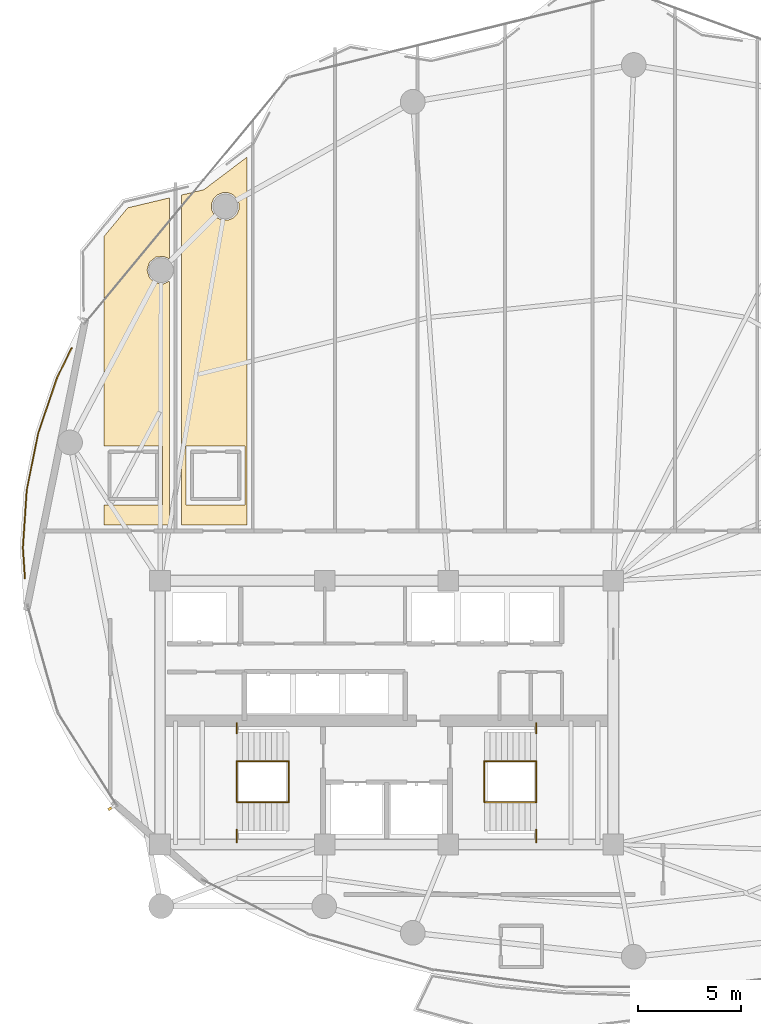
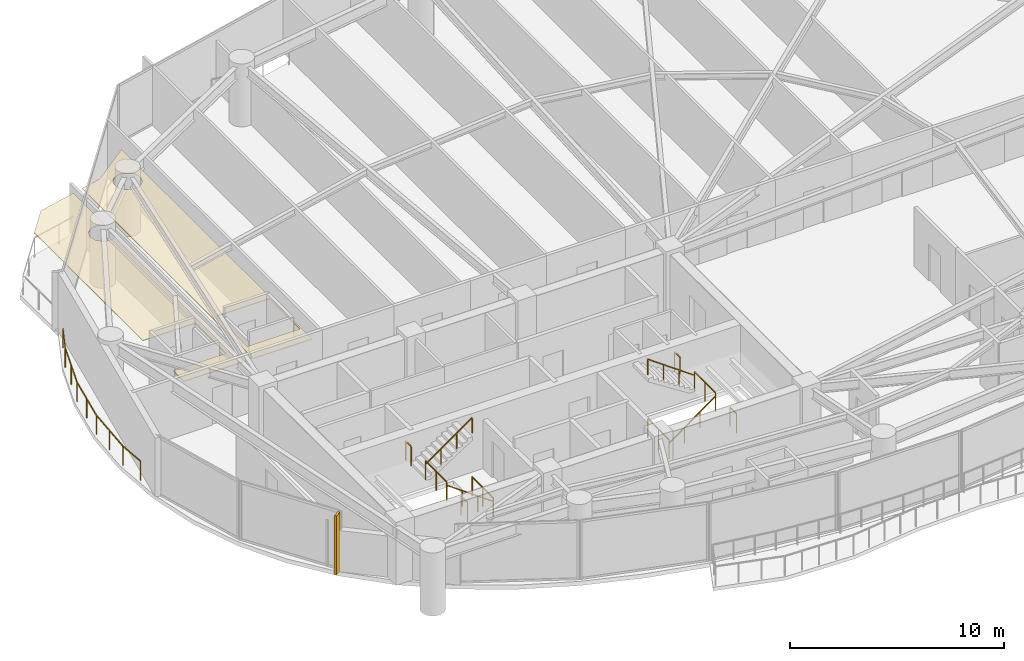
# One storey, part 26 of 28: 13 railings, 2 coverings, 1 shading device.
"""IFC4 building model written with IfcOpenShell, lengths in metres."""

import ifcopenshell
import ifcopenshell.guid

model = None  # the IFC model being written
_history = None  # IfcOwnerHistory: only IFC2X3 demands one
_inside = {}  # id of a spatial element -> (the spatial element, [elements in it])
_under = {}  # id of a project, library or spatial element -> (it, [spatial elements below it])
_declared = {}  # id of a project -> (the project, [libraries it declares])
_typed = {}  # id of a type object -> (the type object, [elements of that type])
_made_of = {}  # id of a material, layer set ... -> (it, [elements and type objects made of it])


def new_model(schema):
    """Start an empty IFC model of exactly this schema.

    Asked for "IFC4X3", IfcOpenShell would pick the latest addendum, in which some entities
    have other attributes; the version numbers below select the first issue.
    IFC2X3 requires an IfcOwnerHistory on every rooted entity: one is made here for all.
    """
    global model, _history
    if schema == "IFC4X3":
        model = ifcopenshell.file(schema_version=(4, 3, 0, 0))
    else:
        model = ifcopenshell.file(schema=schema)
    _inside.clear()
    _under.clear()
    _declared.clear()
    _typed.clear()
    _made_of.clear()
    _history = None
    if model.schema == "IFC2X3":
        org = make("IfcOrganization", Name="unknown")
        user = make(
            "IfcPersonAndOrganization",
            ThePerson=make("IfcPerson", FamilyName="unknown"),
            TheOrganization=org,
        )
        app = make(
            "IfcApplication",
            ApplicationDeveloper=org,
            Version="unknown",
            ApplicationFullName="unknown",
            ApplicationIdentifier="unknown",
        )
        _history = make(
            "IfcOwnerHistory",
            OwningUser=user,
            OwningApplication=app,
            ChangeAction="ADDED",
            CreationDate=0,
        )
    return model


def make(cls, **values):
    """One entity of the class cls with the attributes given. An attribute that is None is left unset."""
    return model.create_entity(
        cls, **{name: value for name, value in values.items() if value is not None}
    )


def rooted(cls, **values):
    """An entity with a GlobalId (a new one), such as an element, a storey or a relation."""
    return make(cls, GlobalId=ifcopenshell.guid.new(), OwnerHistory=_history, **values)


def si_unit(unit_type, name, prefix=None):
    """IfcSIUnit, for example si_unit("LENGTHUNIT", "METRE", prefix="MILLI")."""
    return make("IfcSIUnit", UnitType=unit_type, Prefix=prefix, Name=name)


def assignment(units):
    """IfcUnitAssignment: the units of a project."""
    return None if units is None else make("IfcUnitAssignment", Units=units)


def point(xyz):
    """IfcCartesianPoint."""
    return None if xyz is None else make("IfcCartesianPoint", Coordinates=xyz)


def direction(xyz):
    """IfcDirection."""
    return None if xyz is None else make("IfcDirection", DirectionRatios=xyz)


def frame(location, z_axis=None, x_axis=None):
    """IfcAxis2Placement3D, a coordinate frame: its origin and axes. An axis left out is left unset."""
    return make(
        "IfcAxis2Placement3D",
        Location=point(location),
        Axis=direction(z_axis),
        RefDirection=direction(x_axis),
    )


def frame_2d(location, x_axis=None):
    """IfcAxis2Placement2D, a coordinate frame in the plane: its origin and x axis."""
    return make(
        "IfcAxis2Placement2D", Location=point(location), RefDirection=direction(x_axis)
    )


def origin():
    """The frame at (0, 0, 0) with its axes left unset."""
    return frame((0.0, 0.0, 0.0))


def origin_2d():
    """The frame at (0, 0) in the plane with its x axis left unset."""
    return frame_2d((0.0, 0.0))


def place(relative_to, where):
    """IfcLocalPlacement: puts the frame where relative to a parent placement (None: the world)."""
    return make(
        "IfcLocalPlacement", PlacementRelTo=relative_to, RelativePlacement=where
    )


def context(
    kind, dimensions, precision=None, world=None, true_north=None, identifier=None
):
    """IfcGeometricRepresentationContext, for example the 3D "Model" context."""
    return make(
        "IfcGeometricRepresentationContext",
        ContextIdentifier=identifier,
        ContextType=kind,
        CoordinateSpaceDimension=dimensions,
        Precision=precision,
        WorldCoordinateSystem=world,
        TrueNorth=true_north,
    )


def subcontext(parent, identifier, kind, view, scale=None):
    """IfcGeometricRepresentationSubContext, for example "Body" below "Model"."""
    return make(
        "IfcGeometricRepresentationSubContext",
        ContextIdentifier=identifier,
        ContextType=kind,
        ParentContext=parent,
        TargetScale=scale,
        TargetView=view,
    )


def project(units=None, contexts=None):
    """IfcProject with its units and contexts."""
    return rooted(
        "IfcProject",
        Name="project",
        RepresentationContexts=contexts,
        UnitsInContext=assignment(units),
    )


def spatial(cls, under=None, at=None, **own):
    """A site, building, storey or space (cls), placed at a placement, below another one or the project."""
    s = rooted(cls, ObjectPlacement=at, **own)
    if under is not None:
        _under.setdefault(under.id(), (under, []))[1].append(s)
    return s


def polyline(points):
    """IfcPolyline through the points."""
    return make("IfcPolyline", Points=[point(p) for p in points])


def profile(cls, at=None, kind="AREA", **sizes):
    """A parametric profile (cls). Its sizes go by their IFC names, for example OverallWidth=200.0."""
    return make(cls, ProfileType=kind, Position=at, **sizes)


def rectangle(**sizes):
    """IfcRectangleProfileDef."""
    return profile("IfcRectangleProfileDef", **sizes)


def outline(outer, holes=None, kind="AREA"):
    """IfcArbitraryClosedProfileDef: a profile drawn as a closed curve; with holes, ...WithVoids."""
    if holes is None:
        return make("IfcArbitraryClosedProfileDef", ProfileType=kind, OuterCurve=outer)
    return make(
        "IfcArbitraryProfileDefWithVoids",
        ProfileType=kind,
        OuterCurve=outer,
        InnerCurves=holes,
    )


def extrude(swept, where, along, depth):
    """IfcExtrudedAreaSolid: the profile swept, set in the frame where, extruded along a direction by depth."""
    return make(
        "IfcExtrudedAreaSolid",
        SweptArea=swept,
        Position=where,
        ExtrudedDirection=direction(along),
        Depth=depth,
    )


def shape(context_of_items, identifier, shape_type, items):
    """IfcShapeRepresentation: the items that make up one representation, for example the "Body"."""
    return make(
        "IfcShapeRepresentation",
        ContextOfItems=context_of_items,
        RepresentationIdentifier=identifier,
        RepresentationType=shape_type,
        Items=items,
    )


def material(Name=None, Category=None):
    """IfcMaterial."""
    return make("IfcMaterial", Name=Name, Category=Category)


def layer(
    of_material, thickness, ventilated=None, Name=None, Category=None, Priority=None
):
    """IfcMaterialLayer: one layer of a wall or slab, of a material (None: an air gap)."""
    return make(
        "IfcMaterialLayer",
        Material=of_material,
        LayerThickness=thickness,
        IsVentilated=ventilated,
        Name=Name,
        Category=Category,
        Priority=Priority,
    )


def layer_set(layers, Name=None):
    """IfcMaterialLayerSet."""
    return make("IfcMaterialLayerSet", MaterialLayers=layers, LayerSetName=Name)


def made_of(thing, what):
    """Note that an element or type object is made of a material, layer set ...; save() writes the relation."""
    if what is not None:
        _made_of.setdefault(what.id(), (what, []))[1].append(thing)
    return thing


def type_object(cls, material=None, **own):
    """A type object (cls), such as IfcWallType, which elements share."""
    return made_of(rooted(cls, **own), material)


def element(
    cls,
    number,
    at=None,
    inside=None,
    cuts=None,
    type_object=None,
    material=None,
    context=None,
    identifier="Body",
    shape_type=None,
    held_by="IfcProductDefinitionShape",
    body=None,
    shapes=None,
    **own,
):
    """One element of the class cls, such as IfcWall. Its Tag is "e" and its number.

    at: its placement. inside: the storey or other place that contains it. cuts: it is an
    opening in that element (IfcRelVoidsElement). A single representation is given by context,
    identifier, shape_type and body (its items); several are given by shapes. held_by: the class
    of the entity that holds the representations. save() writes the other relations.
    """
    e = rooted(cls, Tag="e%d" % number, ObjectPlacement=at, **own)
    if body is not None:
        shapes = [shape(context, identifier, shape_type, body)]
    if shapes is not None:
        e.Representation = make(held_by, Representations=shapes)
    if inside is not None:
        _inside.setdefault(inside.id(), (inside, []))[1].append(e)
    if cuts is not None:
        rooted(
            "IfcRelVoidsElement", RelatingBuildingElement=cuts, RelatedOpeningElement=e
        )
    if type_object is not None:
        _typed.setdefault(type_object.id(), (type_object, []))[1].append(e)
    return made_of(e, material)


def aggregate(whole, parts):
    """IfcRelAggregates: a whole, such as a stair, and the parts it consists of."""
    return rooted("IfcRelAggregates", RelatingObject=whole, RelatedObjects=parts)


def save(model, path):
    """Write the relations noted so far, then the file.

    IfcRelAggregates (storeys below a building ...), IfcRelContainedInSpatialStructure (elements
    in a storey), IfcRelDefinesByType, IfcRelAssociatesMaterial and IfcRelDeclares: one each for
    every whole, place, type object, material and project.
    """
    for whole, parts in _under.values():
        aggregate(whole, parts)
    for where, things in _inside.values():
        rooted(
            "IfcRelContainedInSpatialStructure",
            RelatedElements=things,
            RelatingStructure=where,
        )
    for kind, things in _typed.values():
        rooted("IfcRelDefinesByType", RelatedObjects=things, RelatingType=kind)
    for what, things in _made_of.values():
        rooted("IfcRelAssociatesMaterial", RelatedObjects=things, RelatingMaterial=what)
    for by, libraries in _declared.values():
        rooted("IfcRelDeclares", RelatingContext=by, RelatedDefinitions=libraries)
    model.write(path)


model = new_model("IFC4")

# Units and contexts
model_context = context("Model", 3, precision=1e-05, world=origin(), true_north=direction((0.0, 1.0)))
body_context = subcontext(model_context, "Body", "Model", "MODEL_VIEW")
ifc_project = project(units=[si_unit("LENGTHUNIT", "METRE"), si_unit("AREAUNIT", "SQUARE_METRE"), si_unit("VOLUMEUNIT", "CUBIC_METRE"), si_unit("PLANEANGLEUNIT", "RADIAN"), si_unit("MASSUNIT", "GRAM", prefix="KILO")], contexts=[model_context])

# Site, building, storey
site_placement = place(None, origin())
site = spatial("IfcSite", under=ifc_project, at=site_placement, CompositionType="ELEMENT")
building_placement = place(site_placement, origin())
building = spatial("IfcBuilding", under=site, at=building_placement, Name="Kazevale Care Tower and Concert Hall", CompositionType="ELEMENT")
storey_placement = place(building_placement, frame((0.0, 0.0, 138.60009765625)))
storey = spatial("IfcBuildingStorey", under=building, at=storey_placement, Name="L36", CompositionType="ELEMENT", Elevation=138.60009765625)

# Coverings
ifc_material_1 = material(Name="Acoustic Plaster and Hinoki Wood", Category="wood")
ifc_layer = layer(ifc_material_1, 0.0400390625)
ifc_layer_set = layer_set([ifc_layer], Name="Acoustic Plaster and Hinoki Wood")
covering_type = type_object("IfcCoveringType", Name="Acoustic Perforated Wood-Gypsum Ceiling", PredefinedType="CEILING", material=ifc_layer_set)
covering_1_placement = place(storey_placement, frame((0.0, 0.0, 2.7099609375)))
element("IfcCovering", 1, at=covering_1_placement, inside=storey, type_object=covering_type, Name="clg:L36:1", PredefinedType="CEILING", context=body_context, shape_type="SweptSolid", body=[
    extrude(outline(polyline([(22.1298828125, 40.094970703125), (22.1298828125, 42.955078125), (19.280029296875, 42.955078125), (19.280029296875, 53.1259765625), (20.43310546875, 54.51611328125), (22.469970703125, 55.0), (22.469970703125, 52.02099609375), (22.18310546875, 52.156982421875), (21.7900390625, 52.117919921875), (21.485107421875, 51.867919921875), (21.3701171875, 51.489990234375), (21.485107421875, 51.112060546875), (21.7900390625, 50.862060546875), (22.18310546875, 50.822998046875), (22.469970703125, 50.958984375), (22.469970703125, 39.10498046875), (19.280029296875, 39.10498046875), (19.280029296875, 40.094970703125), (22.1298828125, 40.094970703125)])), origin(), (0.0, 0.0, 1.0), 0.0400390625),
])
covering_2_placement = place(storey_placement, frame((0.0, 0.0, 2.7099609375)))
element("IfcCovering", 2, at=covering_2_placement, inside=storey, type_object=covering_type, Name="clg:L36:2", PredefinedType="CEILING", context=body_context, shape_type="SweptSolid", body=[
    extrude(outline(polyline([(23.030029296875, 55.133056640625), (24.1279296875, 55.39404296875), (26.219970703125, 56.97412109375), (26.219970703125, 39.10498046875), (23.030029296875, 39.10498046875), (23.030029296875, 55.133056640625)]), holes=[polyline([(23.27001953125, 42.955078125), (23.27001953125, 40.094970703125), (26.1298828125, 40.094970703125), (26.1298828125, 42.955078125), (23.27001953125, 42.955078125)]), polyline([(25.8369140625, 54.712890625), (25.735107421875, 54.9580078125), (25.548095703125, 55.14501953125), (25.302978515625, 55.2470703125), (25.037109375, 55.2470703125), (24.7919921875, 55.14501953125), (24.60498046875, 54.9580078125), (24.5029296875, 54.712890625), (24.5029296875, 54.447021484375), (24.60498046875, 54.201904296875), (24.7919921875, 54.014892578125), (25.037109375, 53.9130859375), (25.302978515625, 53.9130859375), (25.548095703125, 54.014892578125), (25.735107421875, 54.201904296875), (25.8369140625, 54.447021484375), (25.8369140625, 54.712890625)])]), origin(), (0.0, 0.0, 1.0), 0.0400390625),
])

# Railings
ifc_material_2 = material(Name="Anodised Bronze Aluminium and Laminated Glass", Category="aluminium")
railing_type_1 = type_object("IfcRailingType", Name="Balcony and Terrace Balustrade 1120", PredefinedType="BALUSTRADE", material=ifc_material_2)
railing_1_placement = place(storey_placement, frame((15.43994140625, 36.514892578125, 0.0)))
element("IfcRailing", 3, at=railing_1_placement, inside=storey, type_object=railing_type_1, Name="rail:L36:perim:1", PredefinedType="BALUSTRADE", context=body_context, shape_type="SweptSolid", body=[
    extrude(rectangle(XDim=0.048095703125, YDim=0.048095703125, at=origin_2d()), frame((0.0, 0.0, 1.09619140625), z_axis=(-0.067085094259, 0.99774725764, 0.0), x_axis=(-0.99774725764, -0.067085094259, 0.0)), (0.0, 0.0, 1.0), 1.488525390625),
    extrude(rectangle(XDim=0.048095703125, YDim=0.048095703125, at=origin_2d()), frame((-0.099853515625, 1.485107421875, 1.09619140625), z_axis=(0.066138294973, 0.997810465939, 0.0), x_axis=(-0.997810465939, 0.066138294973, 0.0)), (0.0, 0.0, 1.0), 2.80908203125),
    extrude(rectangle(XDim=0.048095703125, YDim=0.048095703125, at=origin_2d()), frame((0.0859375, 4.2880859375, 1.09619140625), z_axis=(0.197313197068, 0.980340503225, 0.0), x_axis=(-0.980340503225, 0.197313197068, 0.0)), (0.0, 0.0, 1.0), 2.823486328125),
    extrude(rectangle(XDim=0.048095703125, YDim=0.048095703125, at=origin_2d()), frame((0.64306640625, 7.05615234375, 1.09619140625), z_axis=(0.322414050189, 0.946598742996, 0.0), x_axis=(-0.946598742996, 0.322414050189, 0.0)), (0.0, 0.0, 1.0), 2.85009765625),
    extrude(rectangle(XDim=0.048095703125, YDim=0.048095703125, at=origin_2d()), frame((1.56201171875, 9.754150390625, 1.09619140625), z_axis=(0.44003868985, 0.89797881458, 0.0), x_axis=(-0.89797881458, 0.44003868985, 0.0)), (0.0, 0.0, 1.0), 1.595703125),
    extrude(rectangle(XDim=0.0419921875, YDim=0.0419921875, at=origin_2d()), origin(), (0.0, 0.0, 1.0), 1.072021484375),
    extrude(rectangle(XDim=0.0419921875, YDim=0.0419921875, at=origin_2d()), frame((-0.099853515625, 1.485107421875, 0.0)), (0.0, 0.0, 1.0), 1.072021484375),
    extrude(rectangle(XDim=0.0419921875, YDim=0.0419921875, at=origin_2d()), frame((-0.0068359375, 2.88671875, 0.0)), (0.0, 0.0, 1.0), 1.072021484375),
    extrude(rectangle(XDim=0.0419921875, YDim=0.0419921875, at=origin_2d()), frame((0.0859375, 4.2880859375, 0.0)), (0.0, 0.0, 1.0), 1.072021484375),
    extrude(rectangle(XDim=0.0419921875, YDim=0.0419921875, at=origin_2d()), frame((0.364501953125, 5.672119140625, 0.0)), (0.0, 0.0, 1.0), 1.072021484375),
    extrude(rectangle(XDim=0.0419921875, YDim=0.0419921875, at=origin_2d()), frame((0.64306640625, 7.05615234375, 0.0)), (0.0, 0.0, 1.0), 1.072021484375),
    extrude(rectangle(XDim=0.0419921875, YDim=0.0419921875, at=origin_2d()), frame((1.1025390625, 8.4052734375, 0.0)), (0.0, 0.0, 1.0), 1.072021484375),
    extrude(rectangle(XDim=0.0419921875, YDim=0.0419921875, at=origin_2d()), frame((1.56201171875, 9.754150390625, 0.0)), (0.0, 0.0, 1.0), 1.072021484375),
    extrude(rectangle(XDim=0.0419921875, YDim=0.0419921875, at=origin_2d()), frame((2.26416015625, 11.18701171875, 0.0)), (0.0, 0.0, 1.0), 1.072021484375),
])
ifc_material_3 = material(Name="Stainless Steel 316", Category="steel")
railing_type_2 = type_object("IfcRailingType", Name="Stair Pitch Handrail 920", PredefinedType="HANDRAIL", material=ifc_material_3)
railing_2_placement = place(storey_placement, frame((28.25, 25.659912109375, 0.0)))
element("IfcRailing", 4, at=railing_2_placement, inside=storey, type_object=railing_type_2, Name="stair:L36:ST1:hr1", PredefinedType="HANDRAIL", context=body_context, shape_type="SweptSolid", body=[
    extrude(rectangle(XDim=0.048095703125, YDim=0.048095703125, at=origin_2d()), frame((0.0, 0.0, 0.89599609375), z_axis=(-0.813765431312, 0.0, 0.581193446971), x_axis=(0.0, -1.0, 0.0)), (0.0, 0.0, 1.0), 3.0966796875),
    extrude(rectangle(XDim=0.0419921875, YDim=0.0419921875, at=origin_2d()), origin(), (0.0, 0.0, 1.0), 0.871826171875),
    extrude(rectangle(XDim=0.0419921875, YDim=0.0419921875, at=origin_2d()), frame((-0.840087890625, 0.0, 0.599853515625)), (0.0, 0.0, 1.0), 0.871826171875),
    extrude(rectangle(XDim=0.0419921875, YDim=0.0419921875, at=origin_2d()), frame((-1.679931640625, 0.0, 1.199951171875)), (0.0, 0.0, 1.0), 0.871826171875),
    extrude(rectangle(XDim=0.0419921875, YDim=0.0419921875, at=origin_2d()), frame((-2.52001953125, 0.0, 1.7998046875)), (0.0, 0.0, 1.0), 0.871826171875),
])
railing_3_placement = place(storey_placement, frame((25.72998046875, 27.639892578125, 1.7998046875)))
element("IfcRailing", 5, at=railing_3_placement, inside=storey, type_object=railing_type_2, Name="stair:L36:ST1:hr2", PredefinedType="HANDRAIL", context=body_context, shape_type="SweptSolid", body=[
    extrude(rectangle(XDim=0.048095703125, YDim=0.048095703125, at=origin_2d()), frame((0.0, 0.0, 0.89599609375), z_axis=(0.813728144527, 0.0, 0.581245650998), x_axis=(0.0, 1.0, 0.0)), (0.0, 0.0, 1.0), 3.096923828125),
    extrude(rectangle(XDim=0.0419921875, YDim=0.0419921875, at=origin_2d()), origin(), (0.0, 0.0, 1.0), 0.871826171875),
    extrude(rectangle(XDim=0.0419921875, YDim=0.0419921875, at=origin_2d()), frame((0.840087890625, 0.0, 0.60009765625)), (0.0, 0.0, 1.0), 0.871826171875),
    extrude(rectangle(XDim=0.0419921875, YDim=0.0419921875, at=origin_2d()), frame((1.679931640625, 0.0, 1.199951171875)), (0.0, 0.0, 1.0), 0.871826171875),
    extrude(rectangle(XDim=0.0419921875, YDim=0.0419921875, at=origin_2d()), frame((2.52001953125, 0.0, 1.800048828125)), (0.0, 0.0, 1.0), 0.871826171875),
])
railing_4_placement = place(storey_placement, frame((37.75, 25.659912109375, 0.0)))
element("IfcRailing", 6, at=railing_4_placement, inside=storey, type_object=railing_type_2, Name="stair:L36:ST2:hr1", PredefinedType="HANDRAIL", context=body_context, shape_type="SweptSolid", body=[
    extrude(rectangle(XDim=0.048095703125, YDim=0.048095703125, at=origin_2d()), frame((0.0, 0.0, 0.89599609375), z_axis=(0.813765431312, 0.0, 0.581193446971), x_axis=(0.0, 1.0, 0.0)), (0.0, 0.0, 1.0), 3.0966796875),
    extrude(rectangle(XDim=0.0419921875, YDim=0.0419921875, at=origin_2d()), origin(), (0.0, 0.0, 1.0), 0.871826171875),
    extrude(rectangle(XDim=0.0419921875, YDim=0.0419921875, at=origin_2d()), frame((0.840087890625, 0.0, 0.599853515625)), (0.0, 0.0, 1.0), 0.871826171875),
    extrude(rectangle(XDim=0.0419921875, YDim=0.0419921875, at=origin_2d()), frame((1.679931640625, 0.0, 1.199951171875)), (0.0, 0.0, 1.0), 0.871826171875),
    extrude(rectangle(XDim=0.0419921875, YDim=0.0419921875, at=origin_2d()), frame((2.52001953125, 0.0, 1.7998046875)), (0.0, 0.0, 1.0), 0.871826171875),
])
railing_5_placement = place(storey_placement, frame((40.27001953125, 27.639892578125, 1.7998046875)))
element("IfcRailing", 7, at=railing_5_placement, inside=storey, type_object=railing_type_2, Name="stair:L36:ST2:hr2", PredefinedType="HANDRAIL", context=body_context, shape_type="SweptSolid", body=[
    extrude(rectangle(XDim=0.048095703125, YDim=0.048095703125, at=origin_2d()), frame((0.0, 0.0, 0.89599609375), z_axis=(-0.813728144527, 0.0, 0.581245650998), x_axis=(0.0, -1.0, 0.0)), (0.0, 0.0, 1.0), 3.096923828125),
    extrude(rectangle(XDim=0.0419921875, YDim=0.0419921875, at=origin_2d()), origin(), (0.0, 0.0, 1.0), 0.871826171875),
    extrude(rectangle(XDim=0.0419921875, YDim=0.0419921875, at=origin_2d()), frame((-0.840087890625, 0.0, 0.60009765625)), (0.0, 0.0, 1.0), 0.871826171875),
    extrude(rectangle(XDim=0.0419921875, YDim=0.0419921875, at=origin_2d()), frame((-1.679931640625, 0.0, 1.199951171875)), (0.0, 0.0, 1.0), 0.871826171875),
    extrude(rectangle(XDim=0.0419921875, YDim=0.0419921875, at=origin_2d()), frame((-2.52001953125, 0.0, 1.800048828125)), (0.0, 0.0, 1.0), 0.871826171875),
])
railing_type_3 = type_object("IfcRailingType", Name="Stair Well Guard Balustrade 1120", PredefinedType="BALUSTRADE", material=ifc_material_3)
railing_6_placement = place(storey_placement, frame((25.72998046875, 23.699951171875, 1.7998046875)))
element("IfcRailing", 8, at=railing_6_placement, inside=storey, type_object=railing_type_3, Name="stair:L36:ST1:grd_side1", PredefinedType="BALUSTRADE", context=body_context, shape_type="SweptSolid", body=[
    extrude(rectangle(XDim=0.048095703125, YDim=0.048095703125, at=origin_2d()), frame((0.0, 0.0, 1.09619140625), z_axis=(0.0, 1.0, 0.0), x_axis=(-1.0, 0.0, 0.0)), (0.0, 0.0, 1.0), 0.610107421875),
    extrude(rectangle(XDim=0.0419921875, YDim=0.0419921875, at=origin_2d()), origin(), (0.0, 0.0, 1.0), 1.072021484375),
    extrude(rectangle(XDim=0.0419921875, YDim=0.0419921875, at=origin_2d()), frame((0.0, 0.610107421875, 0.0)), (0.0, 0.0, 1.0), 1.072021484375),
])
railing_7_placement = place(storey_placement, frame((25.72998046875, 28.989990234375, 1.7998046875)))
element("IfcRailing", 9, at=railing_7_placement, inside=storey, type_object=railing_type_3, Name="stair:L36:ST1:grd_side2", PredefinedType="BALUSTRADE", context=body_context, shape_type="SweptSolid", body=[
    extrude(rectangle(XDim=0.048095703125, YDim=0.048095703125, at=origin_2d()), frame((0.0, 0.0, 1.09619140625), z_axis=(0.0, 1.0, 0.0), x_axis=(-1.0, 0.0, 0.0)), (0.0, 0.0, 1.0), 0.510009765625),
    extrude(rectangle(XDim=0.0419921875, YDim=0.0419921875, at=origin_2d()), origin(), (0.0, 0.0, 1.0), 1.072021484375),
    extrude(rectangle(XDim=0.0419921875, YDim=0.0419921875, at=origin_2d()), frame((0.0, 0.510009765625, 0.0)), (0.0, 0.0, 1.0), 1.072021484375),
])
for number, where, name in (
    (10, (25.72998046875, 25.659912109375, 1.7998046875), "stair:L36:ST1:grd_mid"),
    (11, (28.25, 25.659912109375, 0.0), "stair:L36:ST1:grd_flr"),
):
    element("IfcRailing", number, at=place(storey_placement, frame(where)), inside=storey, type_object=railing_type_3, Name=name, PredefinedType="BALUSTRADE", context=body_context, shape_type="SweptSolid", body=[
        extrude(rectangle(XDim=0.048095703125, YDim=0.048095703125, at=origin_2d()), frame((0.0, 0.0, 1.09619140625), z_axis=(0.0, 1.0, 0.0), x_axis=(-1.0, 0.0, 0.0)), (0.0, 0.0, 1.0), 1.97998046875),
        extrude(rectangle(XDim=0.0419921875, YDim=0.0419921875, at=origin_2d()), origin(), (0.0, 0.0, 1.0), 1.072021484375),
        extrude(rectangle(XDim=0.0419921875, YDim=0.0419921875, at=origin_2d()), frame((0.0, 0.989990234375, 0.0)), (0.0, 0.0, 1.0), 1.072021484375),
        extrude(rectangle(XDim=0.0419921875, YDim=0.0419921875, at=origin_2d()), frame((0.0, 1.97998046875, 0.0)), (0.0, 0.0, 1.0), 1.072021484375),
    ])
railing_8_placement = place(storey_placement, frame((40.27001953125, 23.699951171875, 1.7998046875)))
element("IfcRailing", 12, at=railing_8_placement, inside=storey, type_object=railing_type_3, Name="stair:L36:ST2:grd_side1", PredefinedType="BALUSTRADE", context=body_context, shape_type="SweptSolid", body=[
    extrude(rectangle(XDim=0.048095703125, YDim=0.048095703125, at=origin_2d()), frame((0.0, 0.0, 1.09619140625), z_axis=(0.0, 1.0, 0.0), x_axis=(-1.0, 0.0, 0.0)), (0.0, 0.0, 1.0), 0.610107421875),
    extrude(rectangle(XDim=0.0419921875, YDim=0.0419921875, at=origin_2d()), origin(), (0.0, 0.0, 1.0), 1.072021484375),
    extrude(rectangle(XDim=0.0419921875, YDim=0.0419921875, at=origin_2d()), frame((0.0, 0.610107421875, 0.0)), (0.0, 0.0, 1.0), 1.072021484375),
])
railing_9_placement = place(storey_placement, frame((40.27001953125, 28.989990234375, 1.7998046875)))
element("IfcRailing", 13, at=railing_9_placement, inside=storey, type_object=railing_type_3, Name="stair:L36:ST2:grd_side2", PredefinedType="BALUSTRADE", context=body_context, shape_type="SweptSolid", body=[
    extrude(rectangle(XDim=0.048095703125, YDim=0.048095703125, at=origin_2d()), frame((0.0, 0.0, 1.09619140625), z_axis=(0.0, 1.0, 0.0), x_axis=(-1.0, 0.0, 0.0)), (0.0, 0.0, 1.0), 0.510009765625),
    extrude(rectangle(XDim=0.0419921875, YDim=0.0419921875, at=origin_2d()), origin(), (0.0, 0.0, 1.0), 1.072021484375),
    extrude(rectangle(XDim=0.0419921875, YDim=0.0419921875, at=origin_2d()), frame((0.0, 0.510009765625, 0.0)), (0.0, 0.0, 1.0), 1.072021484375),
])
for number, where, name in (
    (14, (40.27001953125, 25.659912109375, 1.7998046875), "stair:L36:ST2:grd_mid"),
    (15, (37.75, 25.659912109375, 0.0), "stair:L36:ST2:grd_flr"),
):
    element("IfcRailing", number, at=place(storey_placement, frame(where)), inside=storey, type_object=railing_type_3, Name=name, PredefinedType="BALUSTRADE", context=body_context, shape_type="SweptSolid", body=[
        extrude(rectangle(XDim=0.048095703125, YDim=0.048095703125, at=origin_2d()), frame((0.0, 0.0, 1.09619140625), z_axis=(0.0, 1.0, 0.0), x_axis=(-1.0, 0.0, 0.0)), (0.0, 0.0, 1.0), 1.97998046875),
        extrude(rectangle(XDim=0.0419921875, YDim=0.0419921875, at=origin_2d()), origin(), (0.0, 0.0, 1.0), 1.072021484375),
        extrude(rectangle(XDim=0.0419921875, YDim=0.0419921875, at=origin_2d()), frame((0.0, 0.989990234375, 0.0)), (0.0, 0.0, 1.0), 1.072021484375),
        extrude(rectangle(XDim=0.0419921875, YDim=0.0419921875, at=origin_2d()), frame((0.0, 1.97998046875, 0.0)), (0.0, 0.0, 1.0), 1.072021484375),
    ])

# Shading device
ifc_material_4 = material(Name="Honed Ochre Limestone", Category="masonry")
shading_device_type = type_object("IfcShadingDeviceType", Name="Vertical Honed Limestone Fin FIN-01", PredefinedType="USERDEFINED", material=ifc_material_4)
shading_device_placement = place(storey_placement, frame((19.649658203125, 25.387451171875, 0.0), z_axis=(0.0, 0.0, 1.0), x_axis=(-0.843391445813, -0.537299608347, 0.0)))
element("IfcShadingDevice", 16, at=shading_device_placement, inside=storey, type_object=shading_device_type, Name="cw:L36:f11:fin", ObjectType="FIN", PredefinedType="USERDEFINED", context=body_context, shape_type="SweptSolid", body=[
    extrude(rectangle(XDim=0.3798828125, YDim=0.1201171875, at=origin_2d()), origin(), (0.0, 0.0, 1.0), 3.360107421875),
])

save(model, "model.ifc")
